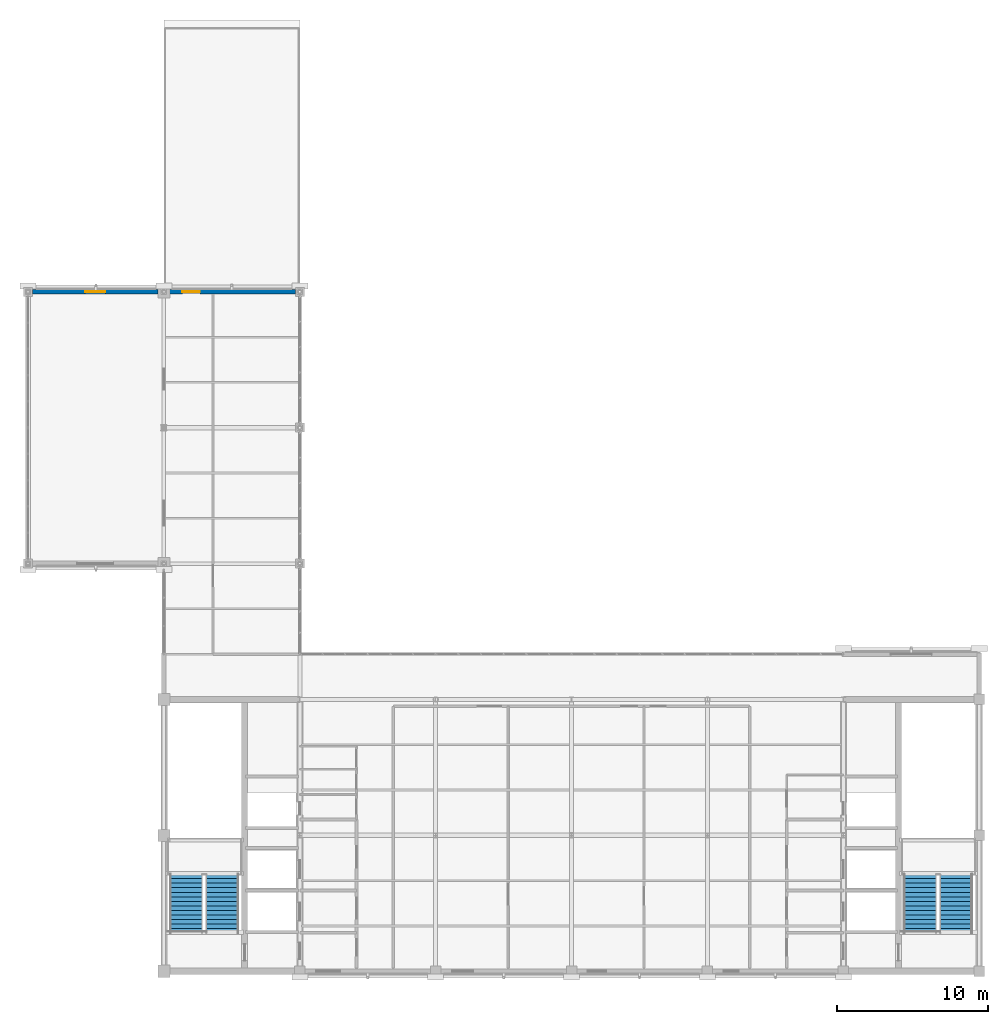
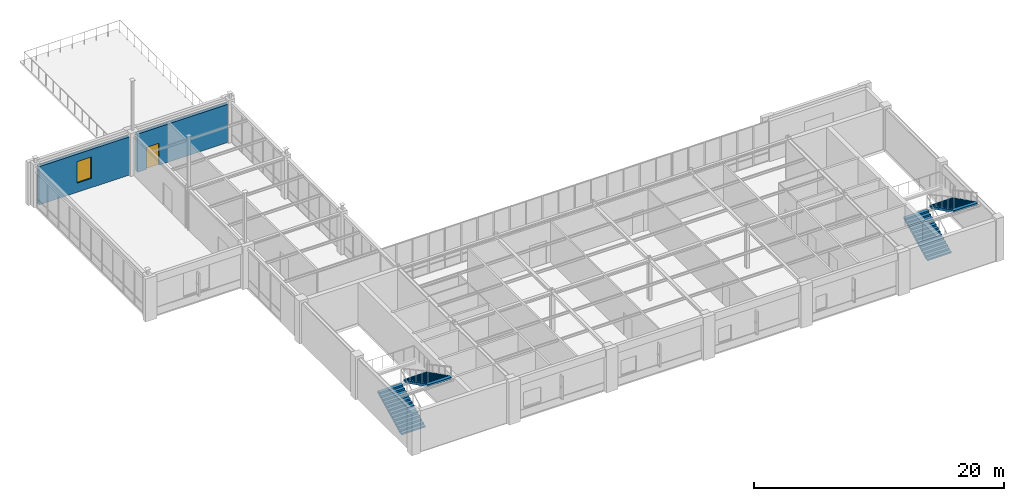
# One storey, part 32 of 36: 4 stair flights, 2 walls, 1 door, 1 window, 2 openings, 2 elements without a shape of their own.
"""IFC4 building model written with IfcOpenShell, lengths in metres."""

import ifcopenshell
import ifcopenshell.guid

model = None  # the IFC model being written
_history = None  # IfcOwnerHistory: only IFC2X3 demands one
_inside = {}  # id of a spatial element -> (the spatial element, [elements in it])
_under = {}  # id of a project, library or spatial element -> (it, [spatial elements below it])
_declared = {}  # id of a project -> (the project, [libraries it declares])
_typed = {}  # id of a type object -> (the type object, [elements of that type])
_made_of = {}  # id of a material, layer set ... -> (it, [elements and type objects made of it])


def new_model(schema):
    """Start an empty IFC model of exactly this schema.

    Asked for "IFC4X3", IfcOpenShell would pick the latest addendum, in which some entities
    have other attributes; the version numbers below select the first issue.
    IFC2X3 requires an IfcOwnerHistory on every rooted entity: one is made here for all.
    """
    global model, _history
    if schema == "IFC4X3":
        model = ifcopenshell.file(schema_version=(4, 3, 0, 0))
    else:
        model = ifcopenshell.file(schema=schema)
    _inside.clear()
    _under.clear()
    _declared.clear()
    _typed.clear()
    _made_of.clear()
    _history = None
    if model.schema == "IFC2X3":
        org = make("IfcOrganization", Name="unknown")
        user = make(
            "IfcPersonAndOrganization",
            ThePerson=make("IfcPerson", FamilyName="unknown"),
            TheOrganization=org,
        )
        app = make(
            "IfcApplication",
            ApplicationDeveloper=org,
            Version="unknown",
            ApplicationFullName="unknown",
            ApplicationIdentifier="unknown",
        )
        _history = make(
            "IfcOwnerHistory",
            OwningUser=user,
            OwningApplication=app,
            ChangeAction="ADDED",
            CreationDate=0,
        )
    return model


def make(cls, **values):
    """One entity of the class cls with the attributes given. An attribute that is None is left unset."""
    return model.create_entity(
        cls, **{name: value for name, value in values.items() if value is not None}
    )


def rooted(cls, **values):
    """An entity with a GlobalId (a new one), such as an element, a storey or a relation."""
    return make(cls, GlobalId=ifcopenshell.guid.new(), OwnerHistory=_history, **values)


def si_unit(unit_type, name, prefix=None):
    """IfcSIUnit, for example si_unit("LENGTHUNIT", "METRE", prefix="MILLI")."""
    return make("IfcSIUnit", UnitType=unit_type, Prefix=prefix, Name=name)


def assignment(units):
    """IfcUnitAssignment: the units of a project."""
    return None if units is None else make("IfcUnitAssignment", Units=units)


def point(xyz):
    """IfcCartesianPoint."""
    return None if xyz is None else make("IfcCartesianPoint", Coordinates=xyz)


def direction(xyz):
    """IfcDirection."""
    return None if xyz is None else make("IfcDirection", DirectionRatios=xyz)


def frame(location, z_axis=None, x_axis=None):
    """IfcAxis2Placement3D, a coordinate frame: its origin and axes. An axis left out is left unset."""
    return make(
        "IfcAxis2Placement3D",
        Location=point(location),
        Axis=direction(z_axis),
        RefDirection=direction(x_axis),
    )


def frame_2d(location, x_axis=None):
    """IfcAxis2Placement2D, a coordinate frame in the plane: its origin and x axis."""
    return make(
        "IfcAxis2Placement2D", Location=point(location), RefDirection=direction(x_axis)
    )


def origin():
    """The frame at (0, 0, 0) with its axes left unset."""
    return frame((0.0, 0.0, 0.0))


def place(relative_to, where):
    """IfcLocalPlacement: puts the frame where relative to a parent placement (None: the world)."""
    return make(
        "IfcLocalPlacement", PlacementRelTo=relative_to, RelativePlacement=where
    )


def context(
    kind, dimensions, precision=None, world=None, true_north=None, identifier=None
):
    """IfcGeometricRepresentationContext, for example the 3D "Model" context."""
    return make(
        "IfcGeometricRepresentationContext",
        ContextIdentifier=identifier,
        ContextType=kind,
        CoordinateSpaceDimension=dimensions,
        Precision=precision,
        WorldCoordinateSystem=world,
        TrueNorth=true_north,
    )


def subcontext(parent, identifier, kind, view, scale=None):
    """IfcGeometricRepresentationSubContext, for example "Body" below "Model"."""
    return make(
        "IfcGeometricRepresentationSubContext",
        ContextIdentifier=identifier,
        ContextType=kind,
        ParentContext=parent,
        TargetScale=scale,
        TargetView=view,
    )


def project(units=None, contexts=None):
    """IfcProject with its units and contexts."""
    return rooted(
        "IfcProject",
        Name="project",
        RepresentationContexts=contexts,
        UnitsInContext=assignment(units),
    )


def spatial(cls, under=None, at=None, **own):
    """A site, building, storey or space (cls), placed at a placement, below another one or the project."""
    s = rooted(cls, ObjectPlacement=at, **own)
    if under is not None:
        _under.setdefault(under.id(), (under, []))[1].append(s)
    return s


def polyline(points):
    """IfcPolyline through the points."""
    return make("IfcPolyline", Points=[point(p) for p in points])


def profile(cls, at=None, kind="AREA", **sizes):
    """A parametric profile (cls). Its sizes go by their IFC names, for example OverallWidth=200.0."""
    return make(cls, ProfileType=kind, Position=at, **sizes)


def rectangle(**sizes):
    """IfcRectangleProfileDef."""
    return profile("IfcRectangleProfileDef", **sizes)


def outline(outer, holes=None, kind="AREA"):
    """IfcArbitraryClosedProfileDef: a profile drawn as a closed curve; with holes, ...WithVoids."""
    if holes is None:
        return make("IfcArbitraryClosedProfileDef", ProfileType=kind, OuterCurve=outer)
    return make(
        "IfcArbitraryProfileDefWithVoids",
        ProfileType=kind,
        OuterCurve=outer,
        InnerCurves=holes,
    )


def extrude(swept, where, along, depth):
    """IfcExtrudedAreaSolid: the profile swept, set in the frame where, extruded along a direction by depth."""
    return make(
        "IfcExtrudedAreaSolid",
        SweptArea=swept,
        Position=where,
        ExtrudedDirection=direction(along),
        Depth=depth,
    )


def shape(context_of_items, identifier, shape_type, items):
    """IfcShapeRepresentation: the items that make up one representation, for example the "Body"."""
    return make(
        "IfcShapeRepresentation",
        ContextOfItems=context_of_items,
        RepresentationIdentifier=identifier,
        RepresentationType=shape_type,
        Items=items,
    )


def material(Name=None, Category=None):
    """IfcMaterial."""
    return make("IfcMaterial", Name=Name, Category=Category)


def layer(
    of_material, thickness, ventilated=None, Name=None, Category=None, Priority=None
):
    """IfcMaterialLayer: one layer of a wall or slab, of a material (None: an air gap)."""
    return make(
        "IfcMaterialLayer",
        Material=of_material,
        LayerThickness=thickness,
        IsVentilated=ventilated,
        Name=Name,
        Category=Category,
        Priority=Priority,
    )


def layer_set(layers, Name=None):
    """IfcMaterialLayerSet."""
    return make("IfcMaterialLayerSet", MaterialLayers=layers, LayerSetName=Name)


def made_of(thing, what):
    """Note that an element or type object is made of a material, layer set ...; save() writes the relation."""
    if what is not None:
        _made_of.setdefault(what.id(), (what, []))[1].append(thing)
    return thing


def type_object(cls, material=None, **own):
    """A type object (cls), such as IfcWallType, which elements share."""
    return made_of(rooted(cls, **own), material)


def element(
    cls,
    number,
    at=None,
    inside=None,
    cuts=None,
    type_object=None,
    material=None,
    context=None,
    identifier="Body",
    shape_type=None,
    held_by="IfcProductDefinitionShape",
    body=None,
    shapes=None,
    **own,
):
    """One element of the class cls, such as IfcWall. Its Tag is "e" and its number.

    at: its placement. inside: the storey or other place that contains it. cuts: it is an
    opening in that element (IfcRelVoidsElement). A single representation is given by context,
    identifier, shape_type and body (its items); several are given by shapes. held_by: the class
    of the entity that holds the representations. save() writes the other relations.
    """
    e = rooted(cls, Tag="e%d" % number, ObjectPlacement=at, **own)
    if body is not None:
        shapes = [shape(context, identifier, shape_type, body)]
    if shapes is not None:
        e.Representation = make(held_by, Representations=shapes)
    if inside is not None:
        _inside.setdefault(inside.id(), (inside, []))[1].append(e)
    if cuts is not None:
        rooted(
            "IfcRelVoidsElement", RelatingBuildingElement=cuts, RelatedOpeningElement=e
        )
    if type_object is not None:
        _typed.setdefault(type_object.id(), (type_object, []))[1].append(e)
    return made_of(e, material)


def fill(opening, filler):
    """IfcRelFillsElement: the door or window that sits in an opening."""
    return rooted(
        "IfcRelFillsElement",
        RelatingOpeningElement=opening,
        RelatedBuildingElement=filler,
    )


def aggregate(whole, parts):
    """IfcRelAggregates: a whole, such as a stair, and the parts it consists of."""
    return rooted("IfcRelAggregates", RelatingObject=whole, RelatedObjects=parts)


def save(model, path):
    """Write the relations noted so far, then the file.

    IfcRelAggregates (storeys below a building ...), IfcRelContainedInSpatialStructure (elements
    in a storey), IfcRelDefinesByType, IfcRelAssociatesMaterial and IfcRelDeclares: one each for
    every whole, place, type object, material and project.
    """
    for whole, parts in _under.values():
        aggregate(whole, parts)
    for where, things in _inside.values():
        rooted(
            "IfcRelContainedInSpatialStructure",
            RelatedElements=things,
            RelatingStructure=where,
        )
    for kind, things in _typed.values():
        rooted("IfcRelDefinesByType", RelatedObjects=things, RelatingType=kind)
    for what, things in _made_of.values():
        rooted("IfcRelAssociatesMaterial", RelatedObjects=things, RelatingMaterial=what)
    for by, libraries in _declared.values():
        rooted("IfcRelDeclares", RelatingContext=by, RelatedDefinitions=libraries)
    model.write(path)


model = new_model("IFC4")

# Units and contexts
model_context = context("Model", 3, precision=1e-05, world=origin(), true_north=direction((0.0, 1.0)))
body_context = subcontext(model_context, "Body", "Model", "MODEL_VIEW")
ifc_project = project(units=[si_unit("LENGTHUNIT", "METRE"), si_unit("AREAUNIT", "SQUARE_METRE"), si_unit("VOLUMEUNIT", "CUBIC_METRE"), si_unit("PLANEANGLEUNIT", "RADIAN"), si_unit("MASSUNIT", "GRAM", prefix="KILO")], contexts=[model_context])

# Site, building, storey
site_placement = place(None, origin())
site = spatial("IfcSite", under=ifc_project, at=site_placement, CompositionType="ELEMENT")
building_placement = place(site_placement, origin())
building = spatial("IfcBuilding", under=site, at=building_placement, Name="Lykobir Media Centre", CompositionType="ELEMENT")
storey_placement = place(building_placement, frame((0.0, 0.0, 27.60009765625)))
storey = spatial("IfcBuildingStorey", under=building, at=storey_placement, Name="L06", CompositionType="ELEMENT", Elevation=27.60009765625)

# Wall, opening, door
ifc_material_1 = material(Name="Glazed Turquoise Terracotta", Category="masonry")
ifc_layer_1 = layer(ifc_material_1, 0.31005859375, Name="Glazed Turquoise Terracotta")
ifc_layer_set_1 = layer_set([ifc_layer_1], Name="Glazed Turquoise Terracotta")
wall_type = type_object("IfcWallType", Name="EW-TER-310", PredefinedType="STANDARD", material=ifc_layer_set_1)
wall_1_placement = place(storey_placement, frame((35.715087890625, 45.0, 0.0), z_axis=(0.0, 0.0, 1.0), x_axis=(-1.0, 0.0, 0.0)))
wall_1 = element("IfcWall", 1, at=wall_1_placement, inside=storey, type_object=wall_type, Name="Exterior wall WALL-L06-0356", PredefinedType="STANDARD", context=body_context, shape_type="SweptSolid", body=[
    extrude(rectangle(XDim=8.330078125, YDim=0.31005859375, at=frame_2d((4.1650390625, 0.0))), origin(), (0.0, 0.0, 1.0), 3.73486328125),
])
opening_1_placement = place(wall_1_placement, frame((6.340087890625, 0.0, 0.0)))
opening_1 = element("IfcOpeningElement", 2, at=opening_1_placement, cuts=wall_1, Name="Opening D-L06-TER1", PredefinedType="OPENING", context=body_context, shape_type="SweptSolid", body=[
    extrude(rectangle(XDim=1.14990234375, YDim=2.14990234375, at=frame_2d((0.574951171875, 1.074951171875))), frame((0.0, 0.1650390625, 0.0), z_axis=(0.0, -1.0, 0.0), x_axis=(1.0, 0.0, 0.0)), (0.0, 0.0, 1.0), 0.330078125),
])
ifc_material_2 = material(Name="Anodized Aluminium AW-6060", Category="aluminium")
door_type = type_object("IfcDoorType", Name="ED-1150x2150", OperationType="NOTDEFINED", PredefinedType="DOOR", material=ifc_material_2)
door_placement = place(opening_1_placement, frame((1.14990234375, 0.0, 0.0), z_axis=(0.0, 0.0, 1.0), x_axis=(-1.0, 0.0, 0.0)))
door = element("IfcDoor", 3, at=door_placement, inside=storey, type_object=door_type, Name="Sixth floor gallery to west roof terrace door", OperationType="SINGLE_SWING_RIGHT", OverallHeight=2.14990234375, OverallWidth=1.14990234375, PredefinedType="DOOR", context=body_context, shape_type="SweptSolid", body=[
    extrude(rectangle(XDim=1.14990234375, YDim=2.14990234375, at=frame_2d((0.574951171875, 1.074951171875))), frame((0.0, 0.02490234375, 0.0), z_axis=(0.0, -1.0, 0.0), x_axis=(1.0, 0.0, 0.0)), (0.0, 0.0, 1.0), 0.050048828125),
])
fill(opening_1, door)

# Wall, opening, window
wall_2_placement = place(storey_placement, frame((26.614990234375, 45.0, 0.0), z_axis=(0.0, 0.0, 1.0), x_axis=(-1.0, 0.0, 0.0)))
wall_2 = element("IfcWall", 4, at=wall_2_placement, inside=storey, type_object=wall_type, Name="Exterior wall WALL-L06-0357", PredefinedType="STANDARD", context=body_context, shape_type="SweptSolid", body=[
    extrude(rectangle(XDim=8.330078125, YDim=0.31005859375, at=frame_2d((4.1650390625, 0.0))), origin(), (0.0, 0.0, 1.0), 3.73486328125),
])
opening_2_placement = place(wall_2_placement, frame((3.489990234375, 0.0, 0.89990234375)))
opening_2 = element("IfcOpeningElement", 5, at=opening_2_placement, cuts=wall_2, Name="Opening WN-1350x2100", PredefinedType="OPENING", context=body_context, shape_type="SweptSolid", body=[
    extrude(rectangle(XDim=1.35009765625, YDim=2.10009765625, at=frame_2d((0.675048828125, 1.050048828125))), frame((0.0, 0.1650390625, 0.0), z_axis=(0.0, -1.0, 0.0), x_axis=(1.0, 0.0, 0.0)), (0.0, 0.0, 1.0), 0.330078125),
])
ifc_material_3 = material(Name="Low-E Laminated Triple Glazing", Category="glass")
window_type = type_object("IfcWindowType", Name="WN-1350x2100", PartitioningType="SINGLE_PANEL", PredefinedType="WINDOW", material=ifc_material_3)
window_placement = place(opening_2_placement, origin())
window = element("IfcWindow", 6, at=window_placement, inside=storey, type_object=window_type, Name="Window WIN-L06-0161", OverallHeight=2.10009765625, OverallWidth=1.35009765625, PartitioningType="SINGLE_PANEL", PredefinedType="WINDOW", context=body_context, shape_type="SweptSolid", body=[
    extrude(rectangle(XDim=1.35009765625, YDim=2.10009765625, at=frame_2d((0.675048828125, 1.050048828125))), frame((0.0, 0.030029296875, 0.0), z_axis=(0.0, -1.0, 0.0), x_axis=(1.0, 0.0, 0.0)), (0.0, 0.0, 1.0), 0.06005859375),
])
fill(opening_2, window)

# Stair, stair flights
ifc_material_4 = material(Name="Concrete C30/37", Category="concrete")
stair_type = type_object("IfcStairType", Name="ST-HT-420", PredefinedType="HALF_TURN_STAIR", material=ifc_material_4)
stair_1_placement = place(storey_placement, origin())
stair_1 = element("IfcStair", 7, at=stair_1_placement, inside=storey, type_object=stair_type, Name="Escape stair ST-1 L06", PredefinedType="HALF_TURN_STAIR")
ifc_layer_2 = layer(ifc_material_4, 0.14990234375, Name="Concrete C30/37")
ifc_layer_set_2 = layer_set([ifc_layer_2], Name="Concrete C30/37")
stair_flight_type = type_object("IfcStairFlightType", Name="FL-220-14", PredefinedType="STRAIGHT", material=ifc_layer_set_2)
stair_flight_1_placement = place(storey_placement, frame((28.469970703125, 2.530029296875, 0.0), z_axis=(0.0, 0.0, 1.0), x_axis=(0.0, 1.0, 0.0)))
stair_flight_1 = element("IfcStairFlight", 8, at=stair_flight_1_placement, type_object=stair_flight_type, Name="ST-1-L06 flight 1", NumberOfRisers=14, NumberOfTreads=13, PredefinedType="STRAIGHT", RiserHeight=0.15, TreadLength=0.3, context=body_context, shape_type="SweptSolid", body=[
    extrude(outline(polyline([(0.0, 0.0), (0.0, 0.14990234375), (0.300048828125, 0.14990234375), (0.300048828125, 0.300048828125), (0.60009765625, 0.300048828125), (0.60009765625, 0.449951171875), (0.89990234375, 0.449951171875), (0.89990234375, 0.60009765625), (1.199951171875, 0.60009765625), (1.199951171875, 0.75), (1.5, 0.75), (1.5, 0.89990234375), (1.800048828125, 0.89990234375), (1.800048828125, 1.050048828125), (2.10009765625, 1.050048828125), (2.10009765625, 1.199951171875), (2.39990234375, 1.199951171875), (2.39990234375, 1.35009765625), (2.699951171875, 1.35009765625), (2.699951171875, 1.5), (3.0, 1.5), (3.0, 1.64990234375), (3.300048828125, 1.64990234375), (3.300048828125, 1.800048828125), (3.60009765625, 1.800048828125), (3.60009765625, 1.949951171875), (3.89990234375, 1.949951171875), (3.89990234375, 2.10009765625), (3.89990234375, 1.771240234375), (0.357666015625, 0.0), (0.0, 0.0)])), frame((0.0, 1.10009765625, 0.0), z_axis=(0.0, -1.0, 0.0), x_axis=(1.0, 0.0, 0.0)), (0.0, 0.0, 1.0), 2.199951171875),
])
stair_flight_2_placement = place(storey_placement, frame((30.8701171875, 6.429931640625, 2.099853515625), z_axis=(0.0, 0.0, 1.0), x_axis=(0.0, -1.0, 0.0)))
stair_flight_2 = element("IfcStairFlight", 9, at=stair_flight_2_placement, type_object=stair_flight_type, Name="ST-1-L06 flight 2", NumberOfRisers=14, NumberOfTreads=13, PredefinedType="STRAIGHT", RiserHeight=0.15, TreadLength=0.3, context=body_context, shape_type="SweptSolid", body=[
    extrude(outline(polyline([(0.0, 0.0), (0.0, 0.14990234375), (0.300048828125, 0.14990234375), (0.300048828125, 0.300048828125), (0.60009765625, 0.300048828125), (0.60009765625, 0.449951171875), (0.89990234375, 0.449951171875), (0.89990234375, 0.60009765625), (1.199951171875, 0.60009765625), (1.199951171875, 0.75), (1.5, 0.75), (1.5, 0.89990234375), (1.800048828125, 0.89990234375), (1.800048828125, 1.050048828125), (2.10009765625, 1.050048828125), (2.10009765625, 1.199951171875), (2.39990234375, 1.199951171875), (2.39990234375, 1.35009765625), (2.699951171875, 1.35009765625), (2.699951171875, 1.5), (3.0, 1.5), (3.0, 1.64990234375), (3.300048828125, 1.64990234375), (3.300048828125, 1.800048828125), (3.60009765625, 1.800048828125), (3.60009765625, 1.949951171875), (3.89990234375, 1.949951171875), (3.89990234375, 2.10009765625), (3.89990234375, 1.771240234375), (0.357666015625, 0.0), (0.0, 0.0)])), frame((0.0, 1.10009765625, 0.0), z_axis=(0.0, -1.0, 0.0), x_axis=(1.0, 0.0, 0.0)), (0.0, 0.0, 1.0), 2.199951171875),
])
aggregate(stair_1, [stair_flight_1, stair_flight_2])

stair_2_placement = place(storey_placement, origin())
stair_2 = element("IfcStair", 10, at=stair_2_placement, inside=storey, type_object=stair_type, Name="Escape stair ST-2 L06", PredefinedType="HALF_TURN_STAIR")
stair_flight_3_placement = place(storey_placement, frame((77.070068359375, 2.530029296875, 0.0), z_axis=(0.0, 0.0, 1.0), x_axis=(0.0, 1.0, 0.0)))
stair_flight_3 = element("IfcStairFlight", 11, at=stair_flight_3_placement, type_object=stair_flight_type, Name="ST-2-L06 flight 1", NumberOfRisers=14, NumberOfTreads=13, PredefinedType="STRAIGHT", RiserHeight=0.15, TreadLength=0.3, context=body_context, shape_type="SweptSolid", body=[
    extrude(outline(polyline([(0.0, 0.0), (0.0, 0.14990234375), (0.300048828125, 0.14990234375), (0.300048828125, 0.300048828125), (0.60009765625, 0.300048828125), (0.60009765625, 0.449951171875), (0.89990234375, 0.449951171875), (0.89990234375, 0.60009765625), (1.199951171875, 0.60009765625), (1.199951171875, 0.75), (1.5, 0.75), (1.5, 0.89990234375), (1.800048828125, 0.89990234375), (1.800048828125, 1.050048828125), (2.10009765625, 1.050048828125), (2.10009765625, 1.199951171875), (2.39990234375, 1.199951171875), (2.39990234375, 1.35009765625), (2.699951171875, 1.35009765625), (2.699951171875, 1.5), (3.0, 1.5), (3.0, 1.64990234375), (3.300048828125, 1.64990234375), (3.300048828125, 1.800048828125), (3.60009765625, 1.800048828125), (3.60009765625, 1.949951171875), (3.89990234375, 1.949951171875), (3.89990234375, 2.10009765625), (3.89990234375, 1.771240234375), (0.357666015625, 0.0), (0.0, 0.0)])), frame((0.0, 1.10009765625, 0.0), z_axis=(0.0, -1.0, 0.0), x_axis=(1.0, 0.0, 0.0)), (0.0, 0.0, 1.0), 2.199951171875),
])
stair_flight_4_placement = place(storey_placement, frame((79.469970703125, 6.429931640625, 2.099853515625), z_axis=(0.0, 0.0, 1.0), x_axis=(0.0, -1.0, 0.0)))
stair_flight_4 = element("IfcStairFlight", 12, at=stair_flight_4_placement, type_object=stair_flight_type, Name="ST-2-L06 flight 2", NumberOfRisers=14, NumberOfTreads=13, PredefinedType="STRAIGHT", RiserHeight=0.15, TreadLength=0.3, context=body_context, shape_type="SweptSolid", body=[
    extrude(outline(polyline([(0.0, 0.0), (0.0, 0.14990234375), (0.300048828125, 0.14990234375), (0.300048828125, 0.300048828125), (0.60009765625, 0.300048828125), (0.60009765625, 0.449951171875), (0.89990234375, 0.449951171875), (0.89990234375, 0.60009765625), (1.199951171875, 0.60009765625), (1.199951171875, 0.75), (1.5, 0.75), (1.5, 0.89990234375), (1.800048828125, 0.89990234375), (1.800048828125, 1.050048828125), (2.10009765625, 1.050048828125), (2.10009765625, 1.199951171875), (2.39990234375, 1.199951171875), (2.39990234375, 1.35009765625), (2.699951171875, 1.35009765625), (2.699951171875, 1.5), (3.0, 1.5), (3.0, 1.64990234375), (3.300048828125, 1.64990234375), (3.300048828125, 1.800048828125), (3.60009765625, 1.800048828125), (3.60009765625, 1.949951171875), (3.89990234375, 1.949951171875), (3.89990234375, 2.10009765625), (3.89990234375, 1.771240234375), (0.357666015625, 0.0), (0.0, 0.0)])), frame((0.0, 1.10009765625, 0.0), z_axis=(0.0, -1.0, 0.0), x_axis=(1.0, 0.0, 0.0)), (0.0, 0.0, 1.0), 2.199951171875),
])
aggregate(stair_2, [stair_flight_3, stair_flight_4])

save(model, "model.ifc")
